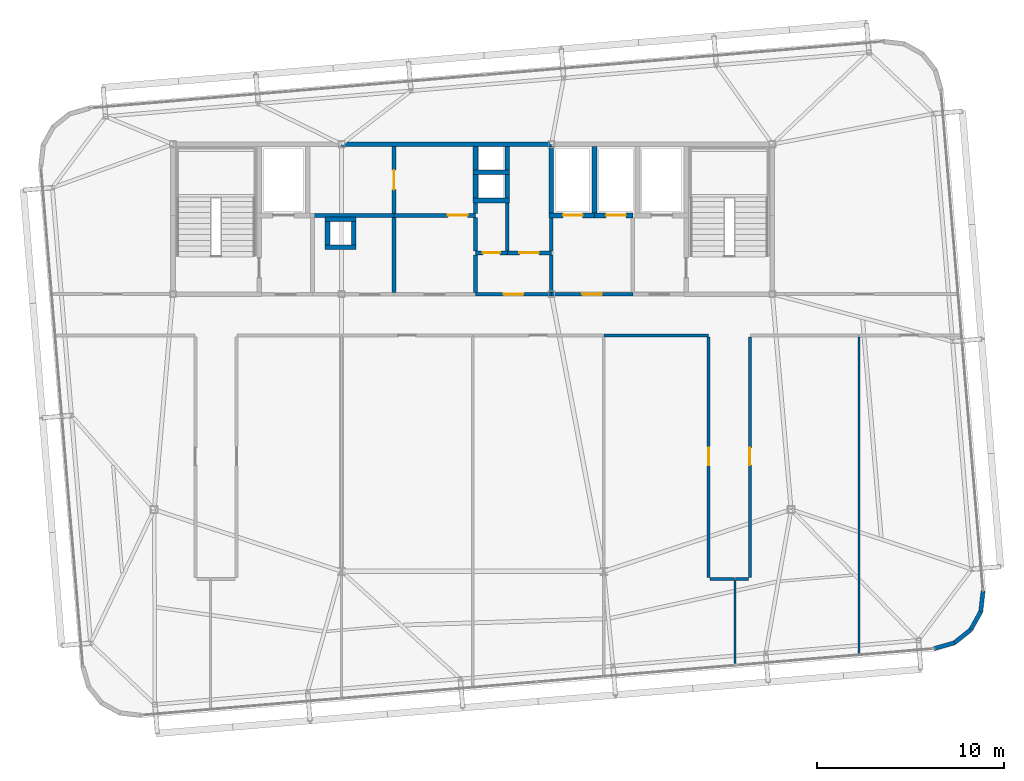
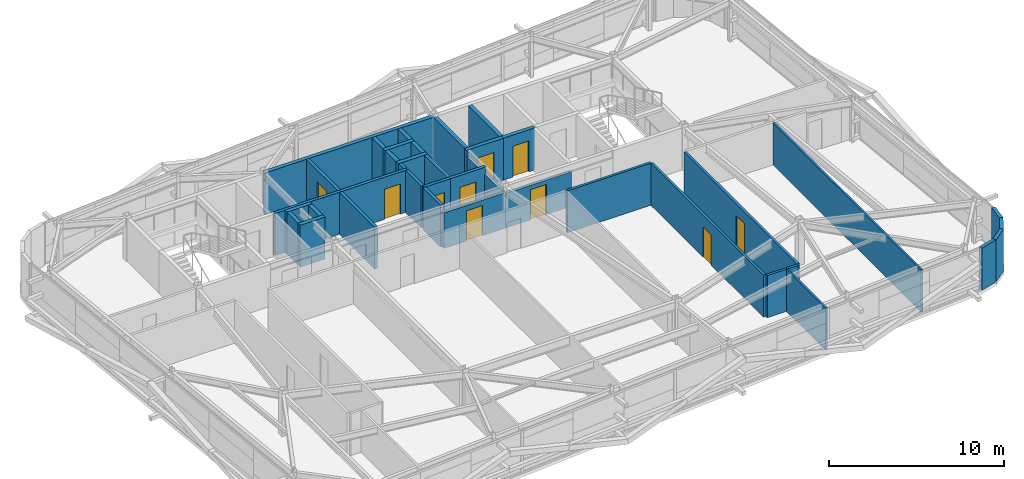
# One storey, part 36 of 39: 40 walls, 10 doors, 10 openings.
"""IFC4 building model written with IfcOpenShell, lengths in metres."""

from ifc_helpers import new_model, si_unit, direction, frame, frame_2d, origin, place, context, subcontext, project, spatial, rectangle, extrude, source, transform, mapped, material, layer, layer_set, type_object, element, fill, save


model = new_model("IFC4")

# Units and contexts
model_context = context("Model", 3, precision=1e-05, world=origin(), true_north=direction((0.0, 1.0)))
body_context = subcontext(model_context, "Body", "Model", "MODEL_VIEW")
ifc_project = project(units=[si_unit("LENGTHUNIT", "METRE"), si_unit("AREAUNIT", "SQUARE_METRE"), si_unit("VOLUMEUNIT", "CUBIC_METRE"), si_unit("PLANEANGLEUNIT", "RADIAN"), si_unit("MASSUNIT", "GRAM", prefix="KILO")], contexts=[model_context])

# Site, building, storey
site_placement = place(None, origin())
site = spatial("IfcSite", under=ifc_project, at=site_placement, CompositionType="ELEMENT")
building_placement = place(site_placement, origin())
building = spatial("IfcBuilding", under=site, at=building_placement, Name="Taldren Reach Tower", CompositionType="ELEMENT")
storey_placement = place(building_placement, frame((0.0, 0.0, 178.85009765625)))
storey = spatial("IfcBuildingStorey", under=building, at=storey_placement, Name="L54", CompositionType="ELEMENT", Elevation=178.85009765625)

# Walls
ifc_material_1 = material(Name="Pale Champagne Anodised Aluminium Cladding", Category="aluminium")
ifc_layer_1 = layer(ifc_material_1, 0.04, Name="Pale Champagne Anodised Aluminium Cladding", Category="aluminium")
ifc_material_2 = material(Name="Mineral Wool Acoustic Insulation", Category="insulation")
ifc_layer_2 = layer(ifc_material_2, 0.06, Name="Mineral Wool Acoustic Insulation", Category="insulation")
ifc_material_3 = material(Name="Steel Gr 350 (C350L0)", Category="steel")
ifc_layer_3 = layer(ifc_material_3, 0.12, Name="Steel Gr 350 (C350L0)", Category="steel")
ifc_layer_set_1 = layer_set([ifc_layer_1, ifc_layer_2, ifc_layer_3], Name="Pale Champagne Aluminium Cladding and Steel Gr 350 Stud Framing")
wall_type_1 = type_object("IfcWallType", Name="EW-CRN-220", PredefinedType="SOLIDWALL", material=ifc_layer_set_1)
shared_shape_1 = source(origin(), body_context, "Body", "SweptSolid", [
    extrude(rectangle(XDim=1.115966796875, YDim=0.219970703125, at=frame_2d((0.55810546875, 0.0))), origin(), (0.0, 0.0, 1.0), 2.929931640625),
])
for number, where, z_axis, x_axis, name in (
    (1, (59.635986328125, 5.0751953125, 0.0), (0.0, 0.0, 1.0), (0.961010464297, 0.276512002475, 0.0), "Rounded-corner pale-metal facade wall L54-SE1"),
    (2, (60.70849609375, 5.3837890625, 0.0), (0.0, 0.0, 1.0), (0.782147847222, 0.623092886403, 0.0), "Rounded-corner pale-metal facade wall L54-SE2"),
    (3, (61.581298828125, 6.0791015625, 0.0), (0.0, 0.0, 1.0), (0.483933071672, 0.875105012065, 0.0), "Rounded-corner pale-metal facade wall L54-SE3"),
    (4, (62.121337890625, 7.0556640625, 0.0), (0.0, 0.0, 1.0), (0.112448259968, 0.993657581277, 0.0), "Rounded-corner pale-metal facade wall L54-SE4"),
):
    element("IfcWall", number, at=place(storey_placement, frame(where, z_axis=z_axis, x_axis=x_axis)), inside=storey, type_object=wall_type_1, Name=name, PredefinedType="SOLIDWALL", context=body_context, shape_type="MappedRepresentation", body=[
        mapped(shared_shape_1, transform((0.0, 0.0, 0.0), scale=1.0)),
    ])

# Wall, opening, door
ifc_material_4 = material(Name="Concrete S50 (50 MPa)", Category="concrete")
ifc_layer_4 = layer(ifc_material_4, 0.199951171875)
ifc_layer_set_2 = layer_set([ifc_layer_4], Name="Concrete S50 (50 MPa)")
wall_type_2 = type_object("IfcWallType", Name="IW-CORE-200", PredefinedType="SOLIDWALL", material=ifc_layer_set_2)
shared_shape_2 = source(origin(), body_context, "Body", "SweptSolid", [
    extrude(rectangle(XDim=4.35009765625, YDim=0.199951171875, at=frame_2d((2.175048828125, 0.0))), origin(), (0.0, 0.0, 1.0), 2.39697265625),
])
wall_1_placement = place(storey_placement, frame((43.550048828125, 24.0, 0.0), z_axis=(0.0, 0.0, 1.0), x_axis=(-1.0, 0.0, 0.0)))
wall_1 = element("IfcWall", 5, at=wall_1_placement, inside=storey, type_object=wall_type_2, Name="Rear Core Shear Wall W-INT-L54-031", PredefinedType="SOLIDWALL", context=body_context, shape_type="MappedRepresentation", body=[
    mapped(shared_shape_2, transform((0.0, 0.0, 0.0), scale=1.0)),
])
shared_shape_3 = source(origin(), body_context, "Body", "SweptSolid", [
    extrude(rectangle(XDim=1.050048828125, YDim=2.10009765625, at=frame_2d((0.52490234375, 1.050048828125))), frame((0.0, 0.10986328125, 0.0), z_axis=(0.0, -1.0, 0.0), x_axis=(1.0, 0.0, 0.0)), (0.0, 0.0, 1.0), 0.219970703125),
])
opening_1_placement = place(wall_1_placement, frame((1.64990234375, 0.0, 0.0)))
opening_1 = element("IfcOpeningElement", 6, at=opening_1_placement, cuts=wall_1, Name="Opening DF-105", PredefinedType="OPENING", context=body_context, shape_type="MappedRepresentation", body=[
    mapped(shared_shape_3, transform((0.0, 0.0, 0.0), scale=1.0)),
])
ifc_material_5 = material(Name="Fire-Rated Care and Stair Exit Door")
door_type_1 = type_object("IfcDoorType", Name="ID-FIRE-105", OperationType="NOTDEFINED", PredefinedType="DOOR", material=ifc_material_5)
shared_shape_4 = source(origin(), body_context, "Body", "SweptSolid", [
    extrude(rectangle(XDim=1.050048828125, YDim=2.10009765625, at=frame_2d((0.52490234375, 1.050048828125))), frame((0.0, 0.02490234375, 0.0), z_axis=(0.0, -1.0, 0.0), x_axis=(1.0, 0.0, 0.0)), (0.0, 0.0, 1.0), 0.050048828125),
])
door_1_placement = place(opening_1_placement, frame((1.050048828125, 0.0, 0.0), z_axis=(0.0, 0.0, 1.0), x_axis=(-1.0, 0.0, 0.0)))
door_1 = element("IfcDoor", 7, at=door_1_placement, inside=storey, type_object=door_type_1, Name="Interior Door DR-L54-005", OperationType="SINGLE_SWING_LEFT", OverallHeight=2.10009765625, OverallWidth=1.050048828125, PredefinedType="DOOR", context=body_context, shape_type="MappedRepresentation", body=[
    mapped(shared_shape_4, transform((0.0, 0.0, 0.0), scale=1.0)),
])
fill(opening_1, door_1)

# Walls
shared_shape_5 = source(origin(), body_context, "Body", "SweptSolid", [
    extrude(rectangle(XDim=2.0, YDim=0.199951171875, at=frame_2d((1.0, 0.0))), origin(), (0.0, 0.0, 1.0), 2.469970703125),
])
wall_2_placement = place(storey_placement, frame((39.199951171875, 24.10009765625, 0.0), z_axis=(0.0, 0.0, 1.0), x_axis=(0.0, 1.0, 0.0)))
element("IfcWall", 8, at=wall_2_placement, inside=storey, type_object=wall_type_2, Name="Rear Core Shear Wall W-INT-L54-029", PredefinedType="SOLIDWALL", context=body_context, shape_type="MappedRepresentation", body=[
    mapped(shared_shape_5, transform((0.0, 0.0, 0.0), scale=1.0)),
])
ifc_material_6 = material(Name="Fire-Rated Acoustic Plasterboard Stud Wall", Category="gypsum")
ifc_layer_5 = layer(ifc_material_6, 0.159912109375)
ifc_layer_set_3 = layer_set([ifc_layer_5], Name="Fire-Rated Acoustic Plasterboard Stud Wall")
wall_type_3 = type_object("IfcWallType", Name="IW-FIRE-160", PredefinedType="PARTITIONING", material=ifc_layer_set_3)
shared_shape_6 = source(origin(), body_context, "Body", "SweptSolid", [
    extrude(rectangle(XDim=1.2998046875, YDim=0.159912109375, at=frame_2d((0.64990234375, 0.0))), origin(), (0.0, 0.0, 1.0), 2.929931640625),
])
wall_3_placement = place(storey_placement, frame((48.979736328125, 8.800048828125, 0.0), z_axis=(0.0, 0.0, 1.0), x_axis=(-1.0, 0.0, 0.0)))
element("IfcWall", 9, at=wall_3_placement, inside=storey, type_object=wall_type_3, Name="Interior Partition Wall W-INT-L54-057", PredefinedType="PARTITIONING", context=body_context, shape_type="MappedRepresentation", body=[
    mapped(shared_shape_6, transform((0.0, 0.0, 0.0), scale=1.0)),
])
shared_shape_7 = source(origin(), body_context, "Body", "SweptSolid", [
    extrude(rectangle(XDim=0.69970703125, YDim=0.159912109375, at=frame_2d((0.349853515625, 0.0))), origin(), (0.0, 0.0, 1.0), 2.929931640625),
])
wall_4_placement = place(storey_placement, frame((49.719970703125, 8.800048828125, 0.0), z_axis=(0.0, 0.0, 1.0), x_axis=(-1.0, 0.0, 0.0)))
element("IfcWall", 10, at=wall_4_placement, inside=storey, type_object=wall_type_3, Name="Interior Partition Wall W-INT-L54-060", PredefinedType="PARTITIONING", context=body_context, shape_type="MappedRepresentation", body=[
    mapped(shared_shape_7, transform((0.0, 0.0, 0.0), scale=1.0)),
])
shared_shape_8 = source(origin(), body_context, "Body", "SweptSolid", [
    extrude(rectangle(XDim=4.0, YDim=0.199951171875, at=frame_2d((2.0, 0.0))), origin(), (0.0, 0.0, 1.0), 2.929931640625),
])
wall_5_placement = place(storey_placement, frame((30.800048828125, 28.10009765625, 0.0), z_axis=(0.0, 0.0, 1.0), x_axis=(0.0, -1.0, 0.0)))
element("IfcWall", 11, at=wall_5_placement, inside=storey, type_object=wall_type_2, Name="Rear Core Shear Wall W-INT-L54-033", PredefinedType="SOLIDWALL", context=body_context, shape_type="MappedRepresentation", body=[
    mapped(shared_shape_8, transform((0.0, 0.0, 0.0), scale=1.0)),
])
shared_shape_9 = source(origin(), body_context, "Body", "SweptSolid", [
    extrude(rectangle(XDim=2.0, YDim=0.199951171875, at=frame_2d((1.0, 0.0))), origin(), (0.0, 0.0, 1.0), 2.929931640625),
])
wall_6_placement = place(storey_placement, frame((35.14990234375, 26.10009765625, 0.0), z_axis=(0.0, 0.0, 1.0), x_axis=(0.0, -1.0, 0.0)))
element("IfcWall", 12, at=wall_6_placement, inside=storey, type_object=wall_type_2, Name="Rear Core Shear Wall W-INT-L54-037", PredefinedType="SOLIDWALL", context=body_context, shape_type="MappedRepresentation", body=[
    mapped(shared_shape_9, transform((0.0, 0.0, 0.0), scale=1.0)),
])
shared_shape_10 = source(origin(), body_context, "Body", "SweptSolid", [
    extrude(rectangle(XDim=4.35009765625, YDim=0.199951171875, at=frame_2d((2.175048828125, 0.0))), origin(), (0.0, 0.0, 1.0), 2.929931640625),
])
wall_7_placement = place(storey_placement, frame((26.449951171875, 28.199951171875, 0.0), z_axis=(0.0, 0.0, 1.0), x_axis=(1.0, 0.0, 0.0)))
element("IfcWall", 13, at=wall_7_placement, inside=storey, type_object=wall_type_2, Name="Rear Core Shear Wall W-INT-L54-032", PredefinedType="SOLIDWALL", context=body_context, shape_type="MappedRepresentation", body=[
    mapped(shared_shape_10, transform((0.0, 0.0, 0.0), scale=1.0)),
])
ifc_material_7 = material(Name="Concrete S65 (65 MPa)", Category="concrete")
ifc_layer_6 = layer(ifc_material_7, 0.25)
ifc_layer_set_4 = layer_set([ifc_layer_6], Name="Concrete S65 (65 MPa)")
wall_type_4 = type_object("IfcWallType", Name="IW-CORE-250", PredefinedType="SHEAR", material=ifc_layer_set_4)
shared_shape_11 = source(origin(), body_context, "Body", "SweptSolid", [
    extrude(rectangle(XDim=11.199951171875, YDim=0.25, at=frame_2d((5.60009765625, 0.0))), origin(), (0.0, 0.0, 1.0), 2.929931640625),
])
wall_8_placement = place(storey_placement, frame((28.0, 32.0, 0.0), z_axis=(0.0, 0.0, 1.0), x_axis=(1.0, 0.0, 0.0)))
element("IfcWall", 14, at=wall_8_placement, inside=storey, type_object=wall_type_4, Name="Rear Core Shear Wall W-CORE-L54-NORTH2", PredefinedType="SHEAR", context=body_context, shape_type="MappedRepresentation", body=[
    mapped(shared_shape_11, transform((0.0, 0.0, 0.0), scale=1.0)),
])
shared_shape_12 = source(origin(), body_context, "Body", "SweptSolid", [
    extrude(rectangle(XDim=3.550048828125, YDim=0.25, at=frame_2d((1.77490234375, 0.0))), origin(), (0.0, 0.0, 1.0), 2.929931640625),
])
for number, where, z_axis, x_axis, name in (
    (15, (41.5, 28.324951171875, 0.0), (0.0, 0.0, 1.0), (0.0, 1.0, 0.0), "Rear Core Shear Wall W-INT-L54-025"),
    (16, (39.199951171875, 31.875, 0.0), (0.0, 0.0, 1.0), (0.0, -1.0, 0.0), "Rear Core Shear Wall W-INT-L54-027"),
):
    element("IfcWall", number, at=place(storey_placement, frame(where, z_axis=z_axis, x_axis=x_axis)), inside=storey, type_object=wall_type_4, Name=name, PredefinedType="SHEAR", context=body_context, shape_type="MappedRepresentation", body=[
        mapped(shared_shape_12, transform((0.0, 0.0, 0.0), scale=1.0)),
    ])
shared_shape_13 = source(origin(), body_context, "Body", "SweptSolid", [
    extrude(rectangle(XDim=1.9501953125, YDim=0.25, at=frame_2d((0.97509765625, 0.0))), origin(), (0.0, 0.0, 1.0), 2.929931640625),
])
for number, where, z_axis, x_axis, name in (
    (17, (35.02490234375, 30.5, 0.0), (0.0, 0.0, 1.0), (1.0, 0.0, 0.0), "Rear Core Shear Wall W-INT-L54-015"),
    (18, (35.02490234375, 29.0, 0.0), (0.0, 0.0, 1.0), (1.0, 0.0, 0.0), "Rear Core Shear Wall W-INT-L54-019"),
):
    element("IfcWall", number, at=place(storey_placement, frame(where, z_axis=z_axis, x_axis=x_axis)), inside=storey, type_object=wall_type_4, Name=name, PredefinedType="SHEAR", context=body_context, shape_type="MappedRepresentation", body=[
        mapped(shared_shape_13, transform((0.0, 0.0, 0.0), scale=1.0)),
    ])
shared_shape_14 = source(origin(), body_context, "Body", "SweptSolid", [
    extrude(rectangle(XDim=1.25, YDim=0.25, at=frame_2d((0.625, 0.0))), origin(), (0.0, 0.0, 1.0), 2.929931640625),
])
for number, where, z_axis, x_axis, name in (
    (19, (35.14990234375, 31.875, 0.0), (0.0, 0.0, 1.0), (0.0, -1.0, 0.0), "Rear Core Shear Wall W-INT-L54-016"),
    (20, (36.85009765625, 30.625, 0.0), (0.0, 0.0, 1.0), (0.0, 1.0, 0.0), "Rear Core Shear Wall W-INT-L54-017"),
    (21, (35.14990234375, 30.375, 0.0), (0.0, 0.0, 1.0), (0.0, -1.0, 0.0), "Rear Core Shear Wall W-INT-L54-018"),
    (22, (36.85009765625, 29.125, 0.0), (0.0, 0.0, 1.0), (0.0, 1.0, 0.0), "Rear Core Shear Wall W-INT-L54-020"),
    (23, (28.64990234375, 26.625, 0.0), (0.0, 0.0, 1.0), (0.0, 1.0, 0.0), "Rear Core Shear Wall W-INT-L54-021"),
    (24, (27.25, 27.875, 0.0), (0.0, 0.0, 1.0), (0.0, -1.0, 0.0), "Rear Core Shear Wall W-INT-L54-022"),
):
    element("IfcWall", number, at=place(storey_placement, frame(where, z_axis=z_axis, x_axis=x_axis)), inside=storey, type_object=wall_type_4, Name=name, PredefinedType="SHEAR", context=body_context, shape_type="MappedRepresentation", body=[
        mapped(shared_shape_14, transform((0.0, 0.0, 0.0), scale=1.0)),
    ])
shared_shape_15 = source(origin(), body_context, "Body", "SweptSolid", [
    extrude(rectangle(XDim=1.64990234375, YDim=0.25, at=frame_2d((0.824951171875, 0.0))), origin(), (0.0, 0.0, 1.0), 2.929931640625),
])
for number, where, z_axis, x_axis, name in (
    (25, (28.77490234375, 28.0, 0.0), (0.0, 0.0, 1.0), (-1.0, 0.0, 0.0), "Rear Core Shear Wall W-INT-L54-023"),
    (26, (27.125, 26.5, 0.0), (0.0, 0.0, 1.0), (1.0, 0.0, 0.0), "Rear Core Shear Wall W-INT-L54-024"),
):
    element("IfcWall", number, at=place(storey_placement, frame(where, z_axis=z_axis, x_axis=x_axis)), inside=storey, type_object=wall_type_4, Name=name, PredefinedType="SHEAR", context=body_context, shape_type="MappedRepresentation", body=[
        mapped(shared_shape_15, transform((0.0, 0.0, 0.0), scale=1.0)),
    ])

# Wall, opening, door
shared_shape_16 = source(origin(), body_context, "Body", "SweptSolid", [
    extrude(rectangle(XDim=2.425048828125, YDim=0.25, at=frame_2d((1.21240234375, 0.0))), origin(), (0.0, 0.0, 1.0), 2.929931640625),
])
wall_9_placement = place(storey_placement, frame((39.074951171875, 28.199951171875, 0.0), z_axis=(0.0, 0.0, 1.0), x_axis=(1.0, 0.0, 0.0)))
wall_9 = element("IfcWall", 27, at=wall_9_placement, inside=storey, type_object=wall_type_4, Name="Rear Core Shear Wall W-INT-L54-026", PredefinedType="SHEAR", context=body_context, shape_type="MappedRepresentation", body=[
    mapped(shared_shape_16, transform((0.0, 0.0, 0.0), scale=1.0)),
])
shared_shape_17 = source(origin(), body_context, "Body", "SweptSolid", [
    extrude(rectangle(XDim=1.050048828125, YDim=2.14990234375, at=frame_2d((0.52490234375, 1.074951171875))), frame((0.0, 0.135009765625, 0.0), z_axis=(0.0, -1.0, 0.0), x_axis=(1.0, 0.0, 0.0)), (0.0, 0.0, 1.0), 0.27001953125),
])
opening_2_placement = place(wall_9_placement, frame((0.75, 0.0, 0.0)))
opening_2 = element("IfcOpeningElement", 28, at=opening_2_placement, cuts=wall_9, Name="Opening LD-PH1", PredefinedType="OPENING", context=body_context, shape_type="MappedRepresentation", body=[
    mapped(shared_shape_17, transform((0.0, 0.0, 0.0), scale=1.0)),
])
ifc_material_8 = material(Name="Stainless Steel Gr 316 Passenger Lift Landing Door", Category="steel")
door_type_2 = type_object("IfcDoorType", Name="LD-PAS-105", OperationType="SLIDING_TO_LEFT", PredefinedType="DOOR", material=ifc_material_8)
shared_shape_18 = source(origin(), body_context, "Body", "SweptSolid", [
    extrude(rectangle(XDim=1.050048828125, YDim=2.14990234375, at=frame_2d((0.52490234375, 1.074951171875))), frame((0.0, 0.02490234375, 0.0), z_axis=(0.0, -1.0, 0.0), x_axis=(1.0, 0.0, 0.0)), (0.0, 0.0, 1.0), 0.050048828125),
])
door_2_placement = place(opening_2_placement, origin())
door_2 = element("IfcDoor", 29, at=door_2_placement, inside=storey, type_object=door_type_2, Name="Lift Landing Door LD-PH1-L54", OperationType="SLIDING_TO_LEFT", OverallHeight=2.14990234375, OverallWidth=1.050048828125, PredefinedType="DOOR", context=body_context, shape_type="MappedRepresentation", body=[
    mapped(shared_shape_18, transform((0.0, 0.0, 0.0), scale=1.0)),
])
fill(opening_2, door_2)

shared_shape_19 = source(origin(), body_context, "Body", "SweptSolid", [
    extrude(rectangle(XDim=2.070068359375, YDim=0.25, at=frame_2d((1.03515625, 0.0))), origin(), (0.0, 0.0, 1.0), 2.929931640625),
])
wall_10_placement = place(storey_placement, frame((41.5, 28.199951171875, 0.0), z_axis=(0.0, 0.0, 1.0), x_axis=(1.0, 0.0, 0.0)))
wall_10 = element("IfcWall", 30, at=wall_10_placement, inside=storey, type_object=wall_type_4, Name="Rear Core Shear Wall W-INT-L54-028", PredefinedType="SHEAR", context=body_context, shape_type="MappedRepresentation", body=[
    mapped(shared_shape_19, transform((0.0, 0.0, 0.0), scale=1.0)),
])
opening_3_placement = place(wall_10_placement, frame((0.625, 0.0, 0.0)))
opening_3 = element("IfcOpeningElement", 31, at=opening_3_placement, cuts=wall_10, Name="Opening LD-PH2", PredefinedType="OPENING", context=body_context, shape_type="MappedRepresentation", body=[
    mapped(shared_shape_17, transform((0.0, 0.0, 0.0), scale=1.0)),
])
door_3_placement = place(opening_3_placement, origin())
door_3 = element("IfcDoor", 32, at=door_3_placement, inside=storey, type_object=door_type_2, Name="Lift Landing Door LD-PH2-L54", OperationType="SLIDING_TO_LEFT", OverallHeight=2.14990234375, OverallWidth=1.050048828125, PredefinedType="DOOR", context=body_context, shape_type="MappedRepresentation", body=[
    mapped(shared_shape_18, transform((0.0, 0.0, 0.0), scale=1.0)),
])
fill(opening_3, door_3)

shared_shape_20 = source(origin(), body_context, "Body", "SweptSolid", [
    extrude(rectangle(XDim=4.050048828125, YDim=0.199951171875, at=frame_2d((2.02490234375, 0.0))), origin(), (0.0, 0.0, 1.0), 2.469970703125),
])
wall_11_placement = place(storey_placement, frame((39.199951171875, 24.0, 0.0), z_axis=(0.0, 0.0, 1.0), x_axis=(-1.0, 0.0, 0.0)))
wall_11 = element("IfcWall", 33, at=wall_11_placement, inside=storey, type_object=wall_type_2, Name="Rear Core Shear Wall W-INT-L54-043", PredefinedType="SOLIDWALL", context=body_context, shape_type="MappedRepresentation", body=[
    mapped(shared_shape_20, transform((0.0, 0.0, 0.0), scale=1.0)),
])
opening_4_placement = place(wall_11_placement, frame((1.5, 0.0, 0.0)))
opening_4 = element("IfcOpeningElement", 34, at=opening_4_placement, cuts=wall_11, Name="Opening DF-105", PredefinedType="OPENING", context=body_context, shape_type="MappedRepresentation", body=[
    mapped(shared_shape_3, transform((0.0, 0.0, 0.0), scale=1.0)),
])
door_4_placement = place(opening_4_placement, frame((1.050048828125, 0.0, 0.0), z_axis=(0.0, 0.0, 1.0), x_axis=(-1.0, 0.0, 0.0)))
door_4 = element("IfcDoor", 35, at=door_4_placement, inside=storey, type_object=door_type_1, Name="Interior Door DR-L54-012", OperationType="SINGLE_SWING_RIGHT", OverallHeight=2.10009765625, OverallWidth=1.050048828125, PredefinedType="DOOR", context=body_context, shape_type="MappedRepresentation", body=[
    mapped(shared_shape_4, transform((0.0, 0.0, 0.0), scale=1.0)),
])
fill(opening_4, door_4)

shared_shape_21 = source(origin(), body_context, "Body", "SweptSolid", [
    extrude(rectangle(XDim=12.840087890625, YDim=0.159912109375, at=frame_2d((6.419921875, 0.0))), origin(), (0.0, 0.0, 1.0), 2.929931640625),
])
wall_12_placement = place(storey_placement, frame((47.60009765625, 8.8798828125, 0.0), z_axis=(0.0, 0.0, 1.0), x_axis=(0.0, 1.0, 0.0)))
wall_12 = element("IfcWall", 36, at=wall_12_placement, inside=storey, type_object=wall_type_3, Name="Interior Partition Wall W-INT-L54-055", PredefinedType="PARTITIONING", context=body_context, shape_type="MappedRepresentation", body=[
    mapped(shared_shape_21, transform((0.0, 0.0, 0.0), scale=1.0)),
])
shared_shape_22 = source(origin(), body_context, "Body", "SweptSolid", [
    extrude(rectangle(XDim=0.919921875, YDim=2.10009765625, at=frame_2d((0.4599609375, 1.050048828125))), frame((0.0, 0.08984375, 0.0), z_axis=(0.0, -1.0, 0.0), x_axis=(1.0, 0.0, 0.0)), (0.0, 0.0, 1.0), 0.179931640625),
])
opening_5_placement = place(wall_12_placement, frame((5.98974609375, 0.0, 0.0)))
opening_5 = element("IfcOpeningElement", 37, at=opening_5_placement, cuts=wall_12, Name="Opening DI-092", PredefinedType="OPENING", context=body_context, shape_type="MappedRepresentation", body=[
    mapped(shared_shape_22, transform((0.0, 0.0, 0.0), scale=1.0)),
])
ifc_material_9 = material(Name="Solid-Core Timber Suite Door", Category="wood")
door_type_3 = type_object("IfcDoorType", Name="ID-INT-092", OperationType="NOTDEFINED", PredefinedType="DOOR", material=ifc_material_9)
shared_shape_23 = source(origin(), body_context, "Body", "SweptSolid", [
    extrude(rectangle(XDim=0.919921875, YDim=2.10009765625, at=frame_2d((0.4599609375, 1.050048828125))), frame((0.0, 0.02490234375, 0.0), z_axis=(0.0, -1.0, 0.0), x_axis=(1.0, 0.0, 0.0)), (0.0, 0.0, 1.0), 0.050048828125),
])
door_5_placement = place(opening_5_placement, origin())
door_5 = element("IfcDoor", 38, at=door_5_placement, inside=storey, type_object=door_type_3, Name="Interior Door DR-L54-019", OperationType="SINGLE_SWING_RIGHT", OverallHeight=2.10009765625, OverallWidth=0.919921875, PredefinedType="DOOR", context=body_context, shape_type="MappedRepresentation", body=[
    mapped(shared_shape_23, transform((0.0, 0.0, 0.0), scale=1.0)),
])
fill(opening_5, door_5)

wall_13_placement = place(storey_placement, frame((49.800048828125, 21.719970703125, 0.0), z_axis=(0.0, 0.0, 1.0), x_axis=(0.0, -1.0, 0.0)))
wall_13 = element("IfcWall", 39, at=wall_13_placement, inside=storey, type_object=wall_type_3, Name="Interior Partition Wall W-INT-L54-058", PredefinedType="PARTITIONING", context=body_context, shape_type="MappedRepresentation", body=[
    mapped(shared_shape_21, transform((0.0, 0.0, 0.0), scale=1.0)),
])
opening_6_placement = place(wall_13_placement, frame((5.93017578125, 0.0, 0.0)))
opening_6 = element("IfcOpeningElement", 40, at=opening_6_placement, cuts=wall_13, Name="Opening DI-092", PredefinedType="OPENING", context=body_context, shape_type="MappedRepresentation", body=[
    mapped(shared_shape_22, transform((0.0, 0.0, 0.0), scale=1.0)),
])
door_6_placement = place(opening_6_placement, origin())
door_6 = element("IfcDoor", 41, at=door_6_placement, inside=storey, type_object=door_type_3, Name="Interior Door DR-L54-020", OperationType="SINGLE_SWING_LEFT", OverallHeight=2.10009765625, OverallWidth=0.919921875, PredefinedType="DOOR", context=body_context, shape_type="MappedRepresentation", body=[
    mapped(shared_shape_23, transform((0.0, 0.0, 0.0), scale=1.0)),
])
fill(opening_6, door_6)

# Wall
shared_shape_24 = source(origin(), body_context, "Body", "SweptSolid", [
    extrude(rectangle(XDim=1.77490234375, YDim=0.199951171875, at=frame_2d((0.887451171875, 0.0))), origin(), (0.0, 0.0, 1.0), 2.469970703125),
])
wall_14_placement = place(storey_placement, frame((39.199951171875, 26.300048828125, 0.0), z_axis=(0.0, 0.0, 1.0), x_axis=(0.0, 1.0, 0.0)))
element("IfcWall", 42, at=wall_14_placement, inside=storey, type_object=wall_type_2, Name="Rear Core Shear Wall W-INT-L54-030", PredefinedType="SOLIDWALL", context=body_context, shape_type="MappedRepresentation", body=[
    mapped(shared_shape_24, transform((0.0, 0.0, 0.0), scale=1.0)),
])

# Wall, opening, door
shared_shape_25 = source(origin(), body_context, "Body", "SweptSolid", [
    extrude(rectangle(XDim=3.574951171875, YDim=0.199951171875, at=frame_2d((1.78759765625, 0.0))), origin(), (0.0, 0.0, 1.0), 2.929931640625),
])
wall_15_placement = place(storey_placement, frame((30.800048828125, 31.875, 0.0), z_axis=(0.0, 0.0, 1.0), x_axis=(0.0, -1.0, 0.0)))
wall_15 = element("IfcWall", 43, at=wall_15_placement, inside=storey, type_object=wall_type_2, Name="Rear Core Shear Wall W-INT-L54-035", PredefinedType="SOLIDWALL", context=body_context, shape_type="MappedRepresentation", body=[
    mapped(shared_shape_25, transform((0.0, 0.0, 0.0), scale=1.0)),
])
opening_7_placement = place(wall_15_placement, frame((1.25, 0.0, 0.0)))
opening_7 = element("IfcOpeningElement", 44, at=opening_7_placement, cuts=wall_15, Name="Opening DF-105", PredefinedType="OPENING", context=body_context, shape_type="MappedRepresentation", body=[
    mapped(shared_shape_3, transform((0.0, 0.0, 0.0), scale=1.0)),
])
door_7_placement = place(opening_7_placement, origin())
door_7 = element("IfcDoor", 45, at=door_7_placement, inside=storey, type_object=door_type_1, Name="Interior Door DR-L54-007", OperationType="SINGLE_SWING_RIGHT", OverallHeight=2.10009765625, OverallWidth=1.050048828125, PredefinedType="DOOR", context=body_context, shape_type="MappedRepresentation", body=[
    mapped(shared_shape_4, transform((0.0, 0.0, 0.0), scale=1.0)),
])
fill(opening_7, door_7)

shared_shape_26 = source(origin(), body_context, "Body", "SweptSolid", [
    extrude(rectangle(XDim=4.349853515625, YDim=0.199951171875, at=frame_2d((2.1748046875, 0.0))), origin(), (0.0, 0.0, 1.0), 2.929931640625),
])
wall_16_placement = place(storey_placement, frame((30.800048828125, 28.199951171875, 0.0), z_axis=(0.0, 0.0, 1.0), x_axis=(1.0, 0.0, 0.0)))
wall_16 = element("IfcWall", 46, at=wall_16_placement, inside=storey, type_object=wall_type_2, Name="Rear Core Shear Wall W-INT-L54-036", PredefinedType="SOLIDWALL", context=body_context, shape_type="MappedRepresentation", body=[
    mapped(shared_shape_26, transform((0.0, 0.0, 0.0), scale=1.0)),
])
opening_8_placement = place(wall_16_placement, frame((2.8798828125, 0.0, 0.0)))
opening_8 = element("IfcOpeningElement", 47, at=opening_8_placement, cuts=wall_16, Name="Opening DF-105", PredefinedType="OPENING", context=body_context, shape_type="MappedRepresentation", body=[
    mapped(shared_shape_3, transform((0.0, 0.0, 0.0), scale=1.0)),
])
door_8_placement = place(opening_8_placement, origin())
door_8 = element("IfcDoor", 48, at=door_8_placement, inside=storey, type_object=door_type_1, Name="Interior Door DR-L54-008", OperationType="SINGLE_SWING_RIGHT", OverallHeight=2.10009765625, OverallWidth=1.050048828125, PredefinedType="DOOR", context=body_context, shape_type="MappedRepresentation", body=[
    mapped(shared_shape_4, transform((0.0, 0.0, 0.0), scale=1.0)),
])
fill(opening_8, door_8)

# Walls
shared_shape_27 = source(origin(), body_context, "Body", "SweptSolid", [
    extrude(rectangle(XDim=1.800048828125, YDim=0.199951171875, at=frame_2d((0.89990234375, 0.0))), origin(), (0.0, 0.0, 1.0), 2.929931640625),
])
wall_17_placement = place(storey_placement, frame((35.14990234375, 28.10009765625, 0.0), z_axis=(0.0, 0.0, 1.0), x_axis=(0.0, -1.0, 0.0)))
element("IfcWall", 49, at=wall_17_placement, inside=storey, type_object=wall_type_2, Name="Rear Core Shear Wall W-INT-L54-038", PredefinedType="SOLIDWALL", context=body_context, shape_type="MappedRepresentation", body=[
    mapped(shared_shape_27, transform((0.0, 0.0, 0.0), scale=1.0)),
])
shared_shape_28 = source(origin(), body_context, "Body", "SweptSolid", [
    extrude(rectangle(XDim=0.574951171875, YDim=0.199951171875, at=frame_2d((0.28759765625, 0.0))), origin(), (0.0, 0.0, 1.0), 2.929931640625),
])
wall_18_placement = place(storey_placement, frame((35.14990234375, 28.875, 0.0), z_axis=(0.0, 0.0, 1.0), x_axis=(0.0, -1.0, 0.0)))
element("IfcWall", 50, at=wall_18_placement, inside=storey, type_object=wall_type_2, Name="Rear Core Shear Wall W-INT-L54-040", PredefinedType="SOLIDWALL", context=body_context, shape_type="MappedRepresentation", body=[
    mapped(shared_shape_28, transform((0.0, 0.0, 0.0), scale=1.0)),
])

# Wall, opening, door
shared_shape_29 = source(origin(), body_context, "Body", "SweptSolid", [
    extrude(rectangle(XDim=1.72021484375, YDim=0.199951171875, at=frame_2d((0.860107421875, 0.0))), origin(), (0.0, 0.0, 1.0), 2.929931640625),
])
wall_19_placement = place(storey_placement, frame((35.14990234375, 26.199951171875, 0.0), z_axis=(0.0, 0.0, 1.0), x_axis=(1.0, 0.0, 0.0)))
wall_19 = element("IfcWall", 51, at=wall_19_placement, inside=storey, type_object=wall_type_2, Name="Rear Core Shear Wall W-INT-L54-041", PredefinedType="SOLIDWALL", context=body_context, shape_type="MappedRepresentation", body=[
    mapped(shared_shape_29, transform((0.0, 0.0, 0.0), scale=1.0)),
])
shared_shape_30 = source(origin(), body_context, "Body", "SweptSolid", [
    extrude(rectangle(XDim=0.919921875, YDim=2.10009765625, at=frame_2d((0.4599609375, 1.050048828125))), frame((0.0, 0.10986328125, 0.0), z_axis=(0.0, -1.0, 0.0), x_axis=(1.0, 0.0, 0.0)), (0.0, 0.0, 1.0), 0.219970703125),
])
opening_9_placement = place(wall_19_placement, frame((0.39990234375, 0.0, 0.0)))
opening_9 = element("IfcOpeningElement", 52, at=opening_9_placement, cuts=wall_19, Name="Opening DF-092", PredefinedType="OPENING", context=body_context, shape_type="MappedRepresentation", body=[
    mapped(shared_shape_30, transform((0.0, 0.0, 0.0), scale=1.0)),
])
ifc_material_10 = material(Name="Fire-Rated Apartment Entrance Door")
door_type_4 = type_object("IfcDoorType", Name="ID-FIRE-092", OperationType="NOTDEFINED", PredefinedType="DOOR", material=ifc_material_10)
door_9_placement = place(opening_9_placement, origin())
door_9 = element("IfcDoor", 53, at=door_9_placement, inside=storey, type_object=door_type_4, Name="Interior Door DR-L54-010", OperationType="SINGLE_SWING_LEFT", OverallHeight=2.10009765625, OverallWidth=0.919921875, PredefinedType="DOOR", context=body_context, shape_type="MappedRepresentation", body=[
    mapped(shared_shape_23, transform((0.0, 0.0, 0.0), scale=1.0)),
])
fill(opening_9, door_9)

shared_shape_31 = source(origin(), body_context, "Body", "SweptSolid", [
    extrude(rectangle(XDim=2.369873046875, YDim=0.199951171875, at=frame_2d((1.18505859375, 0.0))), origin(), (0.0, 0.0, 1.0), 2.929931640625),
])
wall_20_placement = place(storey_placement, frame((36.830078125, 26.199951171875, 0.0), z_axis=(0.0, 0.0, 1.0), x_axis=(1.0, 0.0, 0.0)))
wall_20 = element("IfcWall", 54, at=wall_20_placement, inside=storey, type_object=wall_type_2, Name="Rear Core Shear Wall W-INT-L54-042", PredefinedType="SOLIDWALL", context=body_context, shape_type="MappedRepresentation", body=[
    mapped(shared_shape_31, transform((0.0, 0.0, 0.0), scale=1.0)),
])
opening_10_placement = place(wall_20_placement, frame((0.659912109375, 0.0, 0.0)))
opening_10 = element("IfcOpeningElement", 55, at=opening_10_placement, cuts=wall_20, Name="Opening DF-105", PredefinedType="OPENING", context=body_context, shape_type="MappedRepresentation", body=[
    mapped(shared_shape_3, transform((0.0, 0.0, 0.0), scale=1.0)),
])
door_10_placement = place(opening_10_placement, origin())
door_10 = element("IfcDoor", 56, at=door_10_placement, inside=storey, type_object=door_type_1, Name="Interior Door DR-L54-011", OperationType="SINGLE_SWING_RIGHT", OverallHeight=2.10009765625, OverallWidth=1.050048828125, PredefinedType="DOOR", context=body_context, shape_type="MappedRepresentation", body=[
    mapped(shared_shape_4, transform((0.0, 0.0, 0.0), scale=1.0)),
])
fill(opening_10, door_10)

# Walls
shared_shape_32 = source(origin(), body_context, "Body", "SweptSolid", [
    extrude(rectangle(XDim=2.574951171875, YDim=0.199951171875, at=frame_2d((1.28759765625, 0.0))), origin(), (0.0, 0.0, 1.0), 2.929931640625),
])
wall_21_placement = place(storey_placement, frame((36.85009765625, 28.875, 0.0), z_axis=(0.0, 0.0, 1.0), x_axis=(0.0, -1.0, 0.0)))
element("IfcWall", 57, at=wall_21_placement, inside=storey, type_object=wall_type_2, Name="Rear Core Shear Wall W-INT-L54-044", PredefinedType="SOLIDWALL", context=body_context, shape_type="MappedRepresentation", body=[
    mapped(shared_shape_32, transform((0.0, 0.0, 0.0), scale=1.0)),
])
shared_shape_33 = source(origin(), body_context, "Body", "SweptSolid", [
    extrude(rectangle(XDim=5.559326171875, YDim=0.159912109375, at=frame_2d((2.77978515625, 0.0))), origin(), (0.0, 0.0, 1.0), 2.929931640625),
])
wall_22_placement = place(storey_placement, frame((47.57958984375, 21.800048828125, 0.0), z_axis=(0.0, 0.0, 1.0), x_axis=(-1.0, 0.0, 0.0)))
element("IfcWall", 58, at=wall_22_placement, inside=storey, type_object=wall_type_3, Name="Interior Partition Wall W-INT-L54-056", PredefinedType="PARTITIONING", context=body_context, shape_type="MappedRepresentation", body=[
    mapped(shared_shape_33, transform((0.0, 0.0, 0.0), scale=1.0)),
])
ifc_material_11 = material(Name="Insulated Residential Stud Partition", Category="gypsum")
ifc_layer_7 = layer(ifc_material_11, 0.1201171875)
ifc_layer_set_5 = layer_set([ifc_layer_7], Name="Insulated Residential Stud Partition")
wall_type_5 = type_object("IfcWallType", Name="IW-PART-120", PredefinedType="PARTITIONING", material=ifc_layer_set_5)
shared_shape_34 = source(origin(), body_context, "Body", "SweptSolid", [
    extrude(rectangle(XDim=4.450439453125, YDim=0.1201171875, at=frame_2d((2.22509765625, 0.0))), origin(), (0.0, 0.0, 1.0), 2.929931640625),
])
wall_23_placement = place(storey_placement, frame((49.0, 8.718017578125, 0.0), z_axis=(0.0, 0.0, 1.0), x_axis=(0.0, -1.0, 0.0)))
element("IfcWall", 59, at=wall_23_placement, inside=storey, type_object=wall_type_5, Name="Interior Partition Wall W-INT-L54-066", PredefinedType="PARTITIONING", context=body_context, shape_type="MappedRepresentation", body=[
    mapped(shared_shape_34, transform((0.0, 0.0, 0.0), scale=1.0)),
])
shared_shape_35 = source(origin(), body_context, "Body", "SweptSolid", [
    extrude(rectangle(XDim=16.898681640625, YDim=0.1201171875, at=frame_2d((8.44921875, 0.0))), origin(), (0.0, 0.0, 1.0), 2.929931640625),
])
wall_24_placement = place(storey_placement, frame((55.61767578125, 21.719970703125, 0.0), z_axis=(0.0, 0.0, 1.0), x_axis=(0.0, -1.0, 0.0)))
element("IfcWall", 60, at=wall_24_placement, inside=storey, type_object=wall_type_5, Name="Interior Partition Wall W-INT-L54-067", PredefinedType="PARTITIONING", context=body_context, shape_type="MappedRepresentation", body=[
    mapped(shared_shape_35, transform((0.0, 0.0, 0.0), scale=1.0)),
])

save(model, "model.ifc")
